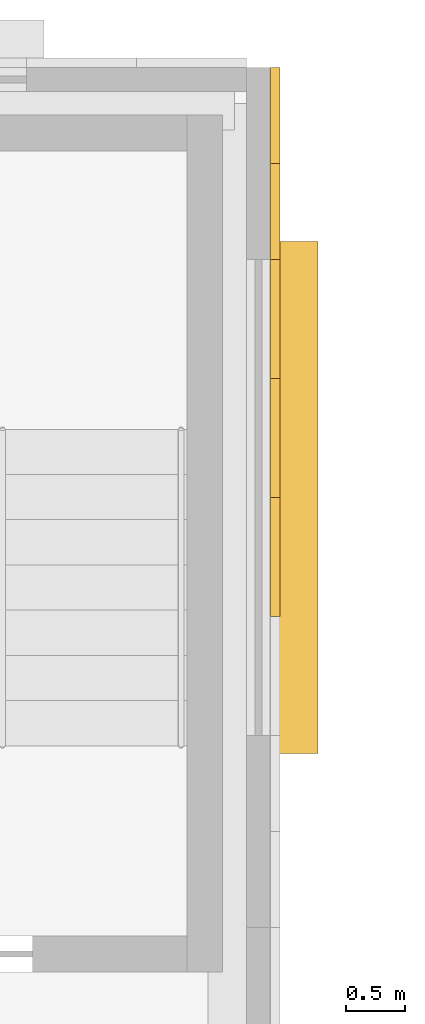
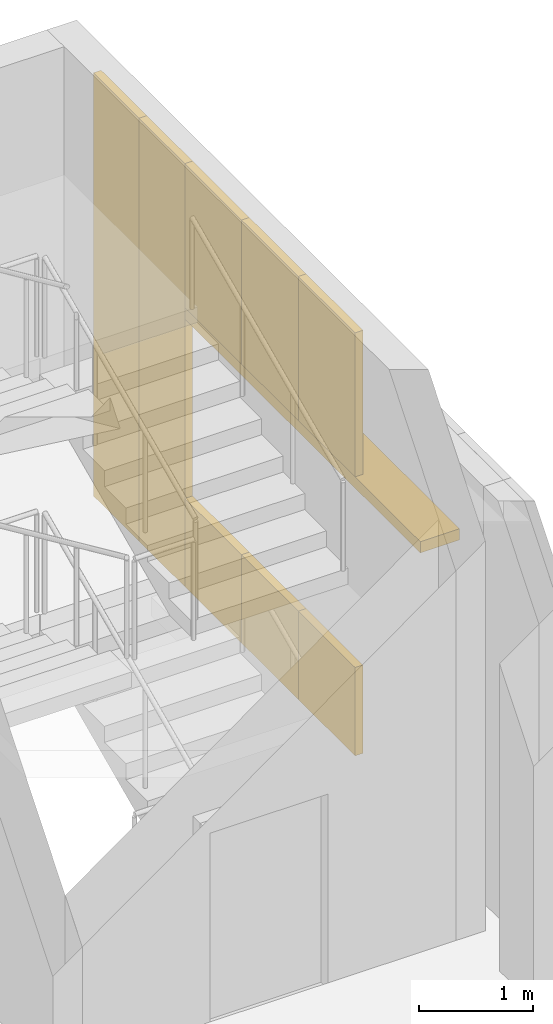
# One storey, part 111 of 112: 8 coverings, 1 shading device.
"""IFC4 building model written with IfcOpenShell, lengths in metres."""

import ifcopenshell
import ifcopenshell.guid

model = None  # the IFC model being written
_history = None  # IfcOwnerHistory: only IFC2X3 demands one
_inside = {}  # id of a spatial element -> (the spatial element, [elements in it])
_under = {}  # id of a project, library or spatial element -> (it, [spatial elements below it])
_declared = {}  # id of a project -> (the project, [libraries it declares])
_typed = {}  # id of a type object -> (the type object, [elements of that type])
_made_of = {}  # id of a material, layer set ... -> (it, [elements and type objects made of it])


def new_model(schema):
    """Start an empty IFC model of exactly this schema.

    Asked for "IFC4X3", IfcOpenShell would pick the latest addendum, in which some entities
    have other attributes; the version numbers below select the first issue.
    IFC2X3 requires an IfcOwnerHistory on every rooted entity: one is made here for all.
    """
    global model, _history
    if schema == "IFC4X3":
        model = ifcopenshell.file(schema_version=(4, 3, 0, 0))
    else:
        model = ifcopenshell.file(schema=schema)
    _inside.clear()
    _under.clear()
    _declared.clear()
    _typed.clear()
    _made_of.clear()
    _history = None
    if model.schema == "IFC2X3":
        org = make("IfcOrganization", Name="unknown")
        user = make(
            "IfcPersonAndOrganization",
            ThePerson=make("IfcPerson", FamilyName="unknown"),
            TheOrganization=org,
        )
        app = make(
            "IfcApplication",
            ApplicationDeveloper=org,
            Version="unknown",
            ApplicationFullName="unknown",
            ApplicationIdentifier="unknown",
        )
        _history = make(
            "IfcOwnerHistory",
            OwningUser=user,
            OwningApplication=app,
            ChangeAction="ADDED",
            CreationDate=0,
        )
    return model


def make(cls, **values):
    """One entity of the class cls with the attributes given. An attribute that is None is left unset."""
    return model.create_entity(
        cls, **{name: value for name, value in values.items() if value is not None}
    )


def rooted(cls, **values):
    """An entity with a GlobalId (a new one), such as an element, a storey or a relation."""
    return make(cls, GlobalId=ifcopenshell.guid.new(), OwnerHistory=_history, **values)


def si_unit(unit_type, name, prefix=None):
    """IfcSIUnit, for example si_unit("LENGTHUNIT", "METRE", prefix="MILLI")."""
    return make("IfcSIUnit", UnitType=unit_type, Prefix=prefix, Name=name)


def assignment(units):
    """IfcUnitAssignment: the units of a project."""
    return None if units is None else make("IfcUnitAssignment", Units=units)


def point(xyz):
    """IfcCartesianPoint."""
    return None if xyz is None else make("IfcCartesianPoint", Coordinates=xyz)


def direction(xyz):
    """IfcDirection."""
    return None if xyz is None else make("IfcDirection", DirectionRatios=xyz)


def frame(location, z_axis=None, x_axis=None):
    """IfcAxis2Placement3D, a coordinate frame: its origin and axes. An axis left out is left unset."""
    return make(
        "IfcAxis2Placement3D",
        Location=point(location),
        Axis=direction(z_axis),
        RefDirection=direction(x_axis),
    )


def frame_2d(location, x_axis=None):
    """IfcAxis2Placement2D, a coordinate frame in the plane: its origin and x axis."""
    return make(
        "IfcAxis2Placement2D", Location=point(location), RefDirection=direction(x_axis)
    )


def origin():
    """The frame at (0, 0, 0) with its axes left unset."""
    return frame((0.0, 0.0, 0.0))


def origin_2d():
    """The frame at (0, 0) in the plane with its x axis left unset."""
    return frame_2d((0.0, 0.0))


def place(relative_to, where):
    """IfcLocalPlacement: puts the frame where relative to a parent placement (None: the world)."""
    return make(
        "IfcLocalPlacement", PlacementRelTo=relative_to, RelativePlacement=where
    )


def context(
    kind, dimensions, precision=None, world=None, true_north=None, identifier=None
):
    """IfcGeometricRepresentationContext, for example the 3D "Model" context."""
    return make(
        "IfcGeometricRepresentationContext",
        ContextIdentifier=identifier,
        ContextType=kind,
        CoordinateSpaceDimension=dimensions,
        Precision=precision,
        WorldCoordinateSystem=world,
        TrueNorth=true_north,
    )


def subcontext(parent, identifier, kind, view, scale=None):
    """IfcGeometricRepresentationSubContext, for example "Body" below "Model"."""
    return make(
        "IfcGeometricRepresentationSubContext",
        ContextIdentifier=identifier,
        ContextType=kind,
        ParentContext=parent,
        TargetScale=scale,
        TargetView=view,
    )


def project(units=None, contexts=None):
    """IfcProject with its units and contexts."""
    return rooted(
        "IfcProject",
        Name="project",
        RepresentationContexts=contexts,
        UnitsInContext=assignment(units),
    )


def spatial(cls, under=None, at=None, **own):
    """A site, building, storey or space (cls), placed at a placement, below another one or the project."""
    s = rooted(cls, ObjectPlacement=at, **own)
    if under is not None:
        _under.setdefault(under.id(), (under, []))[1].append(s)
    return s


def profile(cls, at=None, kind="AREA", **sizes):
    """A parametric profile (cls). Its sizes go by their IFC names, for example OverallWidth=200.0."""
    return make(cls, ProfileType=kind, Position=at, **sizes)


def rectangle(**sizes):
    """IfcRectangleProfileDef."""
    return profile("IfcRectangleProfileDef", **sizes)


def extrude(swept, where, along, depth):
    """IfcExtrudedAreaSolid: the profile swept, set in the frame where, extruded along a direction by depth."""
    return make(
        "IfcExtrudedAreaSolid",
        SweptArea=swept,
        Position=where,
        ExtrudedDirection=direction(along),
        Depth=depth,
    )


def shape(context_of_items, identifier, shape_type, items):
    """IfcShapeRepresentation: the items that make up one representation, for example the "Body"."""
    return make(
        "IfcShapeRepresentation",
        ContextOfItems=context_of_items,
        RepresentationIdentifier=identifier,
        RepresentationType=shape_type,
        Items=items,
    )


def material(Name=None, Category=None):
    """IfcMaterial."""
    return make("IfcMaterial", Name=Name, Category=Category)


def layer(
    of_material, thickness, ventilated=None, Name=None, Category=None, Priority=None
):
    """IfcMaterialLayer: one layer of a wall or slab, of a material (None: an air gap)."""
    return make(
        "IfcMaterialLayer",
        Material=of_material,
        LayerThickness=thickness,
        IsVentilated=ventilated,
        Name=Name,
        Category=Category,
        Priority=Priority,
    )


def layer_set(layers, Name=None):
    """IfcMaterialLayerSet."""
    return make("IfcMaterialLayerSet", MaterialLayers=layers, LayerSetName=Name)


def made_of(thing, what):
    """Note that an element or type object is made of a material, layer set ...; save() writes the relation."""
    if what is not None:
        _made_of.setdefault(what.id(), (what, []))[1].append(thing)
    return thing


def type_object(cls, material=None, **own):
    """A type object (cls), such as IfcWallType, which elements share."""
    return made_of(rooted(cls, **own), material)


def element(
    cls,
    number,
    at=None,
    inside=None,
    cuts=None,
    type_object=None,
    material=None,
    context=None,
    identifier="Body",
    shape_type=None,
    held_by="IfcProductDefinitionShape",
    body=None,
    shapes=None,
    **own,
):
    """One element of the class cls, such as IfcWall. Its Tag is "e" and its number.

    at: its placement. inside: the storey or other place that contains it. cuts: it is an
    opening in that element (IfcRelVoidsElement). A single representation is given by context,
    identifier, shape_type and body (its items); several are given by shapes. held_by: the class
    of the entity that holds the representations. save() writes the other relations.
    """
    e = rooted(cls, Tag="e%d" % number, ObjectPlacement=at, **own)
    if body is not None:
        shapes = [shape(context, identifier, shape_type, body)]
    if shapes is not None:
        e.Representation = make(held_by, Representations=shapes)
    if inside is not None:
        _inside.setdefault(inside.id(), (inside, []))[1].append(e)
    if cuts is not None:
        rooted(
            "IfcRelVoidsElement", RelatingBuildingElement=cuts, RelatedOpeningElement=e
        )
    if type_object is not None:
        _typed.setdefault(type_object.id(), (type_object, []))[1].append(e)
    return made_of(e, material)


def aggregate(whole, parts):
    """IfcRelAggregates: a whole, such as a stair, and the parts it consists of."""
    return rooted("IfcRelAggregates", RelatingObject=whole, RelatedObjects=parts)


def save(model, path):
    """Write the relations noted so far, then the file.

    IfcRelAggregates (storeys below a building ...), IfcRelContainedInSpatialStructure (elements
    in a storey), IfcRelDefinesByType, IfcRelAssociatesMaterial and IfcRelDeclares: one each for
    every whole, place, type object, material and project.
    """
    for whole, parts in _under.values():
        aggregate(whole, parts)
    for where, things in _inside.values():
        rooted(
            "IfcRelContainedInSpatialStructure",
            RelatedElements=things,
            RelatingStructure=where,
        )
    for kind, things in _typed.values():
        rooted("IfcRelDefinesByType", RelatedObjects=things, RelatingType=kind)
    for what, things in _made_of.values():
        rooted("IfcRelAssociatesMaterial", RelatedObjects=things, RelatingMaterial=what)
    for by, libraries in _declared.values():
        rooted("IfcRelDeclares", RelatingContext=by, RelatedDefinitions=libraries)
    model.write(path)


model = new_model("IFC4")

# Units and contexts
model_context = context("Model", 3, precision=1e-05, world=origin(), true_north=direction((0.0, 1.0)))
body_context = subcontext(model_context, "Body", "Model", "MODEL_VIEW")
ifc_project = project(units=[si_unit("LENGTHUNIT", "METRE"), si_unit("AREAUNIT", "SQUARE_METRE"), si_unit("VOLUMEUNIT", "CUBIC_METRE"), si_unit("PLANEANGLEUNIT", "RADIAN"), si_unit("MASSUNIT", "GRAM", prefix="KILO")], contexts=[model_context])

# Site, building, storey
site_placement = place(None, origin())
site = spatial("IfcSite", under=ifc_project, at=site_placement, CompositionType="ELEMENT")
building_placement = place(site_placement, origin())
building = spatial("IfcBuilding", under=site, at=building_placement, Name="Lunette Opera House", CompositionType="ELEMENT")
storey_placement = place(building_placement, frame((0.0, 0.0, 6.0)))
storey = spatial("IfcBuildingStorey", under=building, at=storey_placement, Name="L01", CompositionType="ELEMENT", Elevation=6.0)

# Coverings
ifc_material_1 = material(Name="Dark grey aluminium cassette", Category="aluminium")
ifc_layer_1 = layer(ifc_material_1, 0.080078125)
ifc_layer_set_1 = layer_set([ifc_layer_1], Name="Dark grey aluminium cassette")
covering_type = type_object("IfcCoveringType", Name="DARK METAL CASSETTE 80", PredefinedType="CLADDING", material=ifc_layer_set_1)
covering_1_placement = place(storey_placement, frame((184.0400390625, 131.886962890625, 0.0), z_axis=(0.0, 0.0, 1.0), x_axis=(0.0, 1.0, 0.0)))
element("IfcCovering", 1, at=covering_1_placement, inside=storey, type_object=covering_type, Name="Dark Metal Cassette 80 WK L01", PredefinedType="CLADDING", context=body_context, shape_type="SweptSolid", body=[
    extrude(rectangle(XDim=1.0, YDim=0.080078125, at=origin_2d()), origin(), (0.0, 0.0, 1.0), 0.949951171875),
])
covering_2_placement = place(storey_placement, frame((184.0400390625, 131.886962890625, 3.0), z_axis=(0.0, 0.0, 1.0), x_axis=(0.0, 1.0, 0.0)))
element("IfcCovering", 2, at=covering_2_placement, inside=storey, type_object=covering_type, Name="Dark Metal Cassette 80 WK L01", PredefinedType="CLADDING", context=body_context, shape_type="SweptSolid", body=[
    extrude(rectangle(XDim=1.0, YDim=0.080078125, at=origin_2d()), origin(), (0.0, 0.0, 1.0), 1.550048828125),
])
covering_3_placement = place(storey_placement, frame((184.0400390625, 132.886962890625, 0.0), z_axis=(0.0, 0.0, 1.0), x_axis=(0.0, 1.0, 0.0)))
element("IfcCovering", 3, at=covering_3_placement, inside=storey, type_object=covering_type, Name="Dark Metal Cassette 80 WK L01", PredefinedType="CLADDING", context=body_context, shape_type="SweptSolid", body=[
    extrude(rectangle(XDim=1.0, YDim=0.080078125, at=origin_2d()), origin(), (0.0, 0.0, 1.0), 0.949951171875),
])
covering_4_placement = place(storey_placement, frame((184.0400390625, 132.886962890625, 3.0), z_axis=(0.0, 0.0, 1.0), x_axis=(0.0, 1.0, 0.0)))
element("IfcCovering", 4, at=covering_4_placement, inside=storey, type_object=covering_type, Name="Dark Metal Cassette 80 WK L01", PredefinedType="CLADDING", context=body_context, shape_type="SweptSolid", body=[
    extrude(rectangle(XDim=1.0, YDim=0.080078125, at=origin_2d()), origin(), (0.0, 0.0, 1.0), 1.550048828125),
])
covering_5_placement = place(storey_placement, frame((184.0400390625, 133.886962890625, 0.0), z_axis=(0.0, 0.0, 1.0), x_axis=(0.0, 1.0, 0.0)))
element("IfcCovering", 5, at=covering_5_placement, inside=storey, type_object=covering_type, Name="Dark Metal Cassette 80 WK L01", PredefinedType="CLADDING", context=body_context, shape_type="SweptSolid", body=[
    extrude(rectangle(XDim=1.0, YDim=0.080078125, at=origin_2d()), origin(), (0.0, 0.0, 1.0), 0.949951171875),
])
covering_6_placement = place(storey_placement, frame((184.0400390625, 133.886962890625, 3.0), z_axis=(0.0, 0.0, 1.0), x_axis=(0.0, 1.0, 0.0)))
element("IfcCovering", 6, at=covering_6_placement, inside=storey, type_object=covering_type, Name="Dark Metal Cassette 80 WK L01", PredefinedType="CLADDING", context=body_context, shape_type="SweptSolid", body=[
    extrude(rectangle(XDim=1.0, YDim=0.080078125, at=origin_2d()), origin(), (0.0, 0.0, 1.0), 1.550048828125),
])
for number, where, z_axis, x_axis, name in (
    (7, (184.0400390625, 134.7900390625, 0.0), (0.0, 0.0, 1.0), (0.0, 1.0, 0.0), "Dark Metal Cassette 80 WK L01"),
    (8, (184.0400390625, 135.596923828125, 0.0), (0.0, 0.0, 1.0), (0.0, 1.0, 0.0), "Dark Metal Cassette 80 WK L01"),
):
    element("IfcCovering", number, at=place(storey_placement, frame(where, z_axis=z_axis, x_axis=x_axis)), inside=storey, type_object=covering_type, Name=name, PredefinedType="CLADDING", context=body_context, shape_type="SweptSolid", body=[
        extrude(rectangle(XDim=0.805908203125, YDim=0.080078125, at=origin_2d()), origin(), (0.0, 0.0, 1.0), 4.550048828125),
    ])

# Shading device
ifc_material_2 = material(Name="Powder-coated aluminium", Category="aluminium")
ifc_layer_2 = layer(ifc_material_2, 0.1201171875)
ifc_layer_set_2 = layer_set([ifc_layer_2], Name="Powder-coated aluminium")
shading_device_type = type_object("IfcShadingDeviceType", Name="WINDOW HOOD 400 X 4300", PredefinedType="USERDEFINED", material=ifc_layer_set_2)
shading_device_placement = place(storey_placement, frame((184.199951171875, 132.386962890625, 2.8798828125), z_axis=(0.0, 0.0, 1.0), x_axis=(1.0, 0.0, 0.0)))
element("IfcShadingDevice", 9, at=shading_device_placement, inside=storey, type_object=shading_device_type, Name="Window hood WW-N2002", ObjectType="WINDOW HOOD", PredefinedType="USERDEFINED", context=body_context, shape_type="SweptSolid", body=[
    extrude(rectangle(XDim=0.39990234375, YDim=4.300048828125, at=origin_2d()), origin(), (0.0, 0.0, 1.0), 0.1201171875),
])

save(model, "model.ifc")
